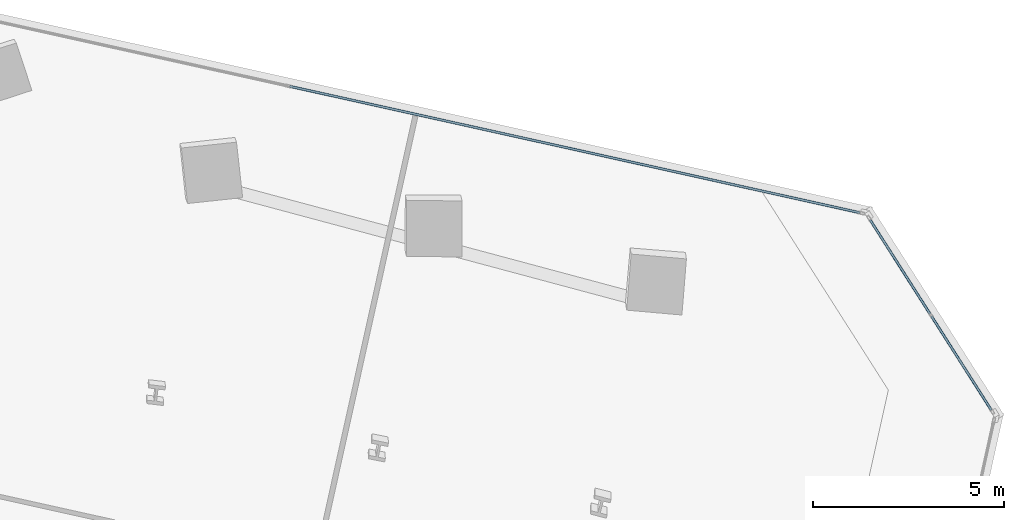
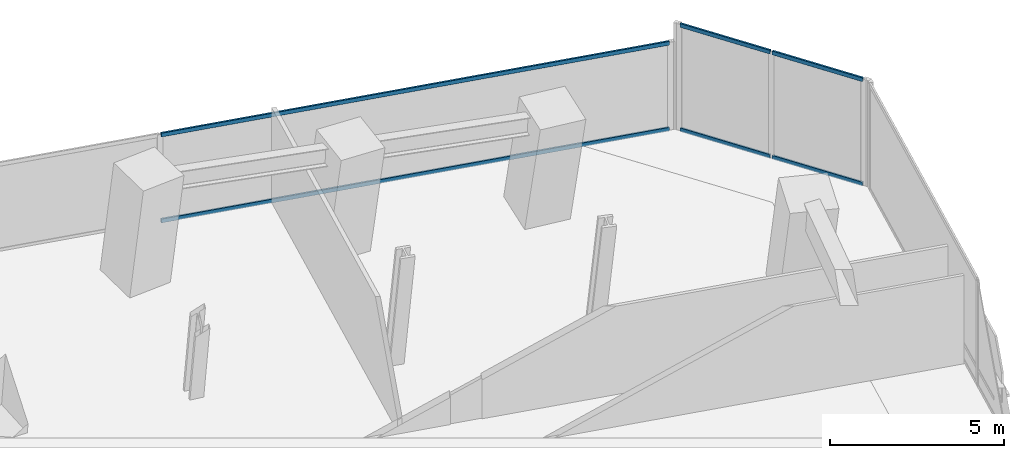
# One storey, part 14 of 26: 6 members, 2 elements without a shape of their own.
"""IFC4 building model written with IfcOpenShell, lengths in metres."""

from ifc_helpers import new_model, si_unit, direction, frame, origin, origin_2d, place, context, subcontext, project, spatial, hollow_rectangle, extrude, source, transform, mapped, material, material_profile, profile_set, type_object, element, aggregate, save


model = new_model("IFC4")

# Units and contexts
model_context = context("Model", 3, precision=1e-05, world=origin(), true_north=direction((0.0, 1.0)))
body_context = subcontext(model_context, "Body", "Model", "MODEL_VIEW")
ifc_project = project(units=[si_unit("LENGTHUNIT", "METRE"), si_unit("AREAUNIT", "SQUARE_METRE"), si_unit("VOLUMEUNIT", "CUBIC_METRE"), si_unit("PLANEANGLEUNIT", "RADIAN"), si_unit("MASSUNIT", "GRAM", prefix="KILO")], contexts=[model_context])

# Site, building, storey
site_placement = place(None, origin())
site = spatial("IfcSite", under=ifc_project, at=site_placement, CompositionType="ELEMENT")
building_placement = place(site_placement, origin())
building = spatial("IfcBuilding", under=site, at=building_placement, Name="Torre Montelarca", CompositionType="ELEMENT")
storey_placement = place(building_placement, frame((0.0, 0.0, 95.800048828125)))
storey = spatial("IfcBuildingStorey", under=building, at=storey_placement, Name="L21", CompositionType="ELEMENT", Elevation=95.800048828125)

# Curtain wall, members
ifc_material_1 = material(Name="Insulated low-E laminated glass", Category="glass")
curtain_wall_type = type_object("IfcCurtainWallType", Name="CW-SYS-Z1", PredefinedType="USERDEFINED", material=ifc_material_1)
curtain_wall_1_placement = place(storey_placement, origin())
curtain_wall_1 = element("IfcCurtainWall", 1, at=curtain_wall_1_placement, inside=storey, type_object=curtain_wall_type, Name="L21 Curtain Wall Run CW-T3-L21-E07-B1", ObjectType="UNITISED GLAZING", PredefinedType="USERDEFINED")
ifc_material_2 = material(Name="Anodised aluminium AA 6063-T6", Category="aluminium")
ifc_material_profile = material_profile(ifc_material_2, hollow_rectangle(XDim=0.06494140625, YDim=0.139892578125, WallThickness=0.00390625, InnerFilletRadius=0.00390625, OuterFilletRadius=0.008056640625, at=origin_2d()), Name="ALU65X140X4", Category="aluminium")
ifc_profile_set = profile_set([ifc_material_profile], Name="Anodised aluminium AA 6063-T6")
member_type = type_object("IfcMemberType", Name="CWT-ALU140", PredefinedType="USERDEFINED", material=ifc_profile_set)
shared_shape_1 = source(origin(), body_context, "Body", "SweptSolid", [
    extrude(hollow_rectangle(XDim=0.06494140625, YDim=0.139892578125, WallThickness=0.00390625, InnerFilletRadius=0.00390625, OuterFilletRadius=0.008056640625, at=origin_2d()), origin(), (0.0, 0.0, 1.0), 2.9189453125),
])
member_1_placement = place(storey_placement, frame((63.590576171875, 36.88671875, 0.032470703125), z_axis=(-0.53732462987, 0.843375504823, 0.0), x_axis=(-0.843375504823, -0.53732462987, 0.0)))
member_1 = element("IfcMember", 2, at=member_1_placement, type_object=member_type, Name="CW transom 2.1", ObjectType="TRANSOM", PredefinedType="USERDEFINED", context=body_context, shape_type="MappedRepresentation", body=[
    mapped(shared_shape_1, transform((0.0, 0.0, 0.0), scale=1.0)),
])
member_2_placement = place(storey_placement, frame((63.590576171875, 36.88671875, 3.6875), z_axis=(-0.53732462987, 0.843375504823, 0.0), x_axis=(-0.843375504823, -0.53732462987, 0.0)))
member_2 = element("IfcMember", 3, at=member_2_placement, type_object=member_type, Name="CW transom 2.2", ObjectType="TRANSOM", PredefinedType="USERDEFINED", context=body_context, shape_type="MappedRepresentation", body=[
    mapped(shared_shape_1, transform((0.0, 0.0, 0.0), scale=1.0)),
])
shared_shape_2 = source(origin(), body_context, "Body", "SweptSolid", [
    extrude(hollow_rectangle(XDim=0.06494140625, YDim=0.139892578125, WallThickness=0.00390625, InnerFilletRadius=0.00390625, OuterFilletRadius=0.008056640625, at=origin_2d()), origin(), (0.0, 0.0, 1.0), 2.918701171875),
])
member_3_placement = place(storey_placement, frame((65.193603515625, 34.370361328125, 0.032470703125), z_axis=(-0.537265131857, 0.843413408768, 0.0), x_axis=(-0.843413408768, -0.537265131857, 0.0)))
member_3 = element("IfcMember", 4, at=member_3_placement, type_object=member_type, Name="CW transom 1.1", ObjectType="TRANSOM", PredefinedType="USERDEFINED", context=body_context, shape_type="MappedRepresentation", body=[
    mapped(shared_shape_2, transform((0.0, 0.0, 0.0), scale=1.0)),
])
member_4_placement = place(storey_placement, frame((65.193603515625, 34.370361328125, 3.6875), z_axis=(-0.537265131857, 0.843413408768, 0.0), x_axis=(-0.843413408768, -0.537265131857, 0.0)))
member_4 = element("IfcMember", 5, at=member_4_placement, type_object=member_type, Name="CW transom 1.2", ObjectType="TRANSOM", PredefinedType="USERDEFINED", context=body_context, shape_type="MappedRepresentation", body=[
    mapped(shared_shape_2, transform((0.0, 0.0, 0.0), scale=1.0)),
])
aggregate(curtain_wall_1, [member_3, member_4, member_1, member_2])

curtain_wall_2_placement = place(storey_placement, origin())
curtain_wall_2 = element("IfcCurtainWall", 6, at=curtain_wall_2_placement, inside=storey, type_object=curtain_wall_type, Name="L21 Curtain Wall Run CW-T3-L21-E08-B1", ObjectType="UNITISED GLAZING", PredefinedType="USERDEFINED")
shared_shape_3 = source(origin(), body_context, "Body", "SweptSolid", [
    extrude(hollow_rectangle(XDim=0.06494140625, YDim=0.139892578125, WallThickness=0.00390625, InnerFilletRadius=0.00390625, OuterFilletRadius=0.008056640625, at=origin_2d()), origin(), (0.0, 0.0, 1.0), 15.2900390625),
])
member_5_placement = place(storey_placement, frame((61.75439453125, 39.535888671875, 0.032470703125), z_axis=(-0.976296266105, 0.216438445727, 0.0), x_axis=(-0.216438445727, -0.976296266105, 0.0)))
member_5 = element("IfcMember", 7, at=member_5_placement, type_object=member_type, Name="CW transom 1.1", ObjectType="TRANSOM", PredefinedType="USERDEFINED", context=body_context, shape_type="MappedRepresentation", body=[
    mapped(shared_shape_3, transform((0.0, 0.0, 0.0), scale=1.0)),
])
member_6_placement = place(storey_placement, frame((61.75439453125, 39.535888671875, 3.04248046875), z_axis=(-0.976296266105, 0.216438445727, 0.0), x_axis=(-0.216438445727, -0.976296266105, 0.0)))
member_6 = element("IfcMember", 8, at=member_6_placement, type_object=member_type, Name="CW transom 1.2", ObjectType="TRANSOM", PredefinedType="USERDEFINED", context=body_context, shape_type="MappedRepresentation", body=[
    mapped(shared_shape_3, transform((0.0, 0.0, 0.0), scale=1.0)),
])
aggregate(curtain_wall_2, [member_5, member_6])

save(model, "model.ifc")
